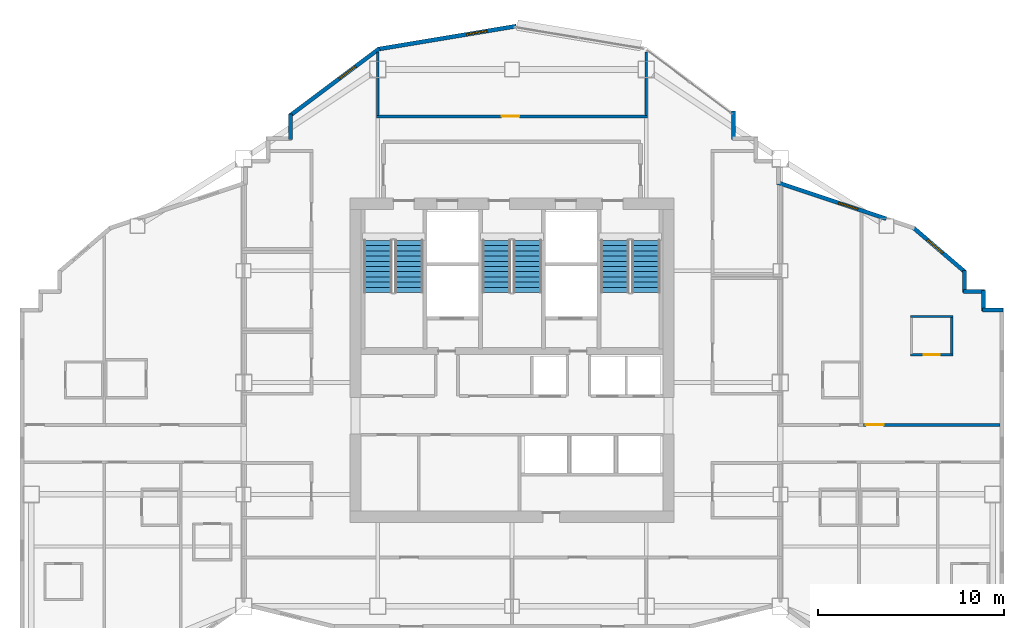
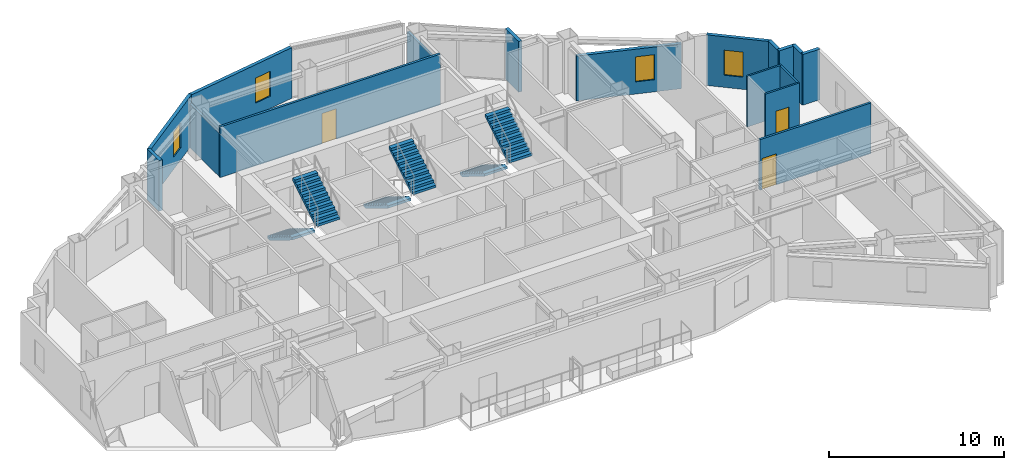
# One storey, part 9 of 12: 17 walls, 6 stair flights, 4 windows, 3 doors, 7 openings, 3 elements without a shape of their own.
"""IFC4 building model written with IfcOpenShell, lengths in metres."""

from ifc_helpers import new_model, si_unit, direction, frame, frame_2d, origin, place, context, subcontext, project, spatial, polyline, rectangle, outline, extrude, material, layer, layer_set, type_object, element, fill, aggregate, save


model = new_model("IFC4")

# Units and contexts
model_context = context("Model", 3, precision=1e-05, world=origin(), true_north=direction((0.0, 1.0)))
body_context = subcontext(model_context, "Body", "Model", "MODEL_VIEW")
ifc_project = project(units=[si_unit("LENGTHUNIT", "METRE"), si_unit("AREAUNIT", "SQUARE_METRE"), si_unit("VOLUMEUNIT", "CUBIC_METRE"), si_unit("PLANEANGLEUNIT", "RADIAN"), si_unit("MASSUNIT", "GRAM", prefix="KILO")], contexts=[model_context])

# Site, building, storey
site_placement = place(None, origin())
site = spatial("IfcSite", under=ifc_project, at=site_placement, CompositionType="ELEMENT")
building_placement = place(site_placement, origin())
building = spatial("IfcBuilding", under=site, at=building_placement, Name="Haolan Belvedere Tower", CompositionType="ELEMENT")
storey_placement = place(building_placement, frame((0.0, 0.0, 203.199951171875)))
storey = spatial("IfcBuildingStorey", under=building, at=storey_placement, Name="L51", CompositionType="ELEMENT", Elevation=203.199951171875)

# Walls
ifc_material_1 = material(Name="Precast concrete C40/50", Category="concrete")
ifc_layer_1 = layer(ifc_material_1, 0.219970703125, Name="Precast concrete C40/50")
ifc_layer_set_1 = layer_set([ifc_layer_1], Name="Precast concrete C40/50")
wall_type_1 = type_object("IfcWallType", Name="WL-EXT-220", PredefinedType="SOLIDWALL", material=ifc_layer_set_1)
wall_1_placement = place(storey_placement, frame((64.7451171875, 37.489990234375, 0.0), z_axis=(0.0, 0.0, 1.0), x_axis=(-1.0, 0.0, 0.0)))
element("IfcWall", 1, at=wall_1_placement, inside=storey, type_object=wall_type_1, Name="L51 pale-metal exterior spandrel wall 9.1", PredefinedType="SOLIDWALL", context=body_context, shape_type="SweptSolid", body=[
    extrude(rectangle(XDim=1.110107421875, YDim=0.219970703125, at=frame_2d((0.55517578125, 0.0))), origin(), (0.0, 0.0, 1.0), 3.5400390625),
])
wall_2_placement = place(storey_placement, frame((63.68994140625, 37.43505859375, 0.0), z_axis=(0.0, 0.0, 1.0), x_axis=(0.0, 1.0, 0.0)))
element("IfcWall", 2, at=wall_2_placement, inside=storey, type_object=wall_type_1, Name="L51 pale-metal exterior spandrel wall 10.1", PredefinedType="SOLIDWALL", context=body_context, shape_type="SweptSolid", body=[
    extrude(rectangle(XDim=1.10986328125, YDim=0.219970703125, at=frame_2d((0.554931640625, 0.0))), origin(), (0.0, 0.0, 1.0), 3.5400390625),
])
wall_3_placement = place(storey_placement, frame((63.7451171875, 38.489990234375, 0.0), z_axis=(0.0, 0.0, 1.0), x_axis=(-1.0, 0.0, 0.0)))
element("IfcWall", 3, at=wall_3_placement, inside=storey, type_object=wall_type_1, Name="L51 pale-metal exterior spandrel wall 11.1", PredefinedType="SOLIDWALL", context=body_context, shape_type="SweptSolid", body=[
    extrude(rectangle(XDim=1.110107421875, YDim=0.219970703125, at=frame_2d((0.55517578125, 0.0))), origin(), (0.0, 0.0, 1.0), 3.5400390625),
])
wall_4_placement = place(storey_placement, frame((62.68994140625, 38.43505859375, 0.0), z_axis=(0.0, 0.0, 1.0), x_axis=(0.0, 1.0, 0.0)))
element("IfcWall", 4, at=wall_4_placement, inside=storey, type_object=wall_type_1, Name="L51 pale-metal exterior spandrel wall 12.1", PredefinedType="SOLIDWALL", context=body_context, shape_type="SweptSolid", body=[
    extrude(rectangle(XDim=1.16943359375, YDim=0.219970703125, at=frame_2d((0.584716796875, 0.0))), origin(), (0.0, 0.0, 1.0), 3.5400390625),
])

# Wall, opening, window
wall_5_placement = place(storey_placement, frame((62.731689453125, 39.513671875, 0.0), z_axis=(0.0, 0.0, 1.0), x_axis=(-0.759251976569, 0.65079677018, 0.0)))
wall_5 = element("IfcWall", 5, at=wall_5_placement, inside=storey, type_object=wall_type_1, Name="L51 pale-metal exterior spandrel wall 13.1", PredefinedType="SOLIDWALL", context=body_context, shape_type="SweptSolid", body=[
    extrude(rectangle(XDim=3.7255859375, YDim=0.219970703125, at=frame_2d((1.86279296875, 0.0))), origin(), (0.0, 0.0, 1.0), 3.5400390625),
])
opening_1_placement = place(wall_5_placement, frame((1.60009765625, 0.0, 0.85009765625)))
opening_1 = element("IfcOpeningElement", 6, at=opening_1_placement, cuts=wall_5, Name="Opening W-03", PredefinedType="OPENING", context=body_context, shape_type="SweptSolid", body=[
    extrude(rectangle(XDim=1.10009765625, YDim=1.75, at=frame_2d((0.550048828125, 0.875))), frame((0.0, 0.119873046875, 0.0), z_axis=(0.0, -1.0, 0.0), x_axis=(1.0, 0.0, 0.0)), (0.0, 0.0, 1.0), 0.239990234375),
])
ifc_material_2 = material(Name="Anodised aluminium 6063-T6 and Low-E glass", Category="aluminium")
window_type = type_object("IfcWindowType", Name="WN-DECO-Z3", PartitioningType="SINGLE_PANEL", PredefinedType="WINDOW", material=ifc_material_2)
window_1_placement = place(opening_1_placement, origin())
window_1 = element("IfcWindow", 7, at=window_1_placement, inside=storey, type_object=window_type, Name="L51 Art Deco chevron window 1", OverallHeight=1.75, OverallWidth=1.10009765625, PartitioningType="SINGLE_PANEL", PredefinedType="WINDOW", context=body_context, shape_type="SweptSolid", body=[
    extrude(rectangle(XDim=1.10009765625, YDim=1.75, at=frame_2d((0.550048828125, 0.875))), frame((0.0, 0.030029296875, 0.0), z_axis=(0.0, -1.0, 0.0), x_axis=(1.0, 0.0, 0.0)), (0.0, 0.0, 1.0), 0.06005859375),
])
fill(opening_1, window_1)

wall_6_placement = place(storey_placement, frame((58.476318359375, 42.39208984375, 0.0), z_axis=(0.0, 0.0, 1.0), x_axis=(-0.948691231611, 0.316203964339, 0.0)))
wall_6 = element("IfcWall", 8, at=wall_6_placement, inside=storey, type_object=wall_type_1, Name="L51 pale-metal exterior spandrel wall 14.2", PredefinedType="SOLIDWALL", context=body_context, shape_type="SweptSolid", body=[
    extrude(rectangle(XDim=6.154296875, YDim=0.219970703125, at=frame_2d((3.0771484375, 0.0))), origin(), (0.0, 0.0, 1.0), 3.135009765625),
])
opening_2_placement = place(wall_6_placement, frame((1.60009765625, 0.0, 0.85009765625)))
opening_2 = element("IfcOpeningElement", 9, at=opening_2_placement, cuts=wall_6, Name="Opening W-03", PredefinedType="OPENING", context=body_context, shape_type="SweptSolid", body=[
    extrude(rectangle(XDim=1.10009765625, YDim=1.75, at=frame_2d((0.550048828125, 0.875))), frame((0.0, 0.119873046875, 0.0), z_axis=(0.0, -1.0, 0.0), x_axis=(1.0, 0.0, 0.0)), (0.0, 0.0, 1.0), 0.239990234375),
])
window_2_placement = place(opening_2_placement, origin())
window_2 = element("IfcWindow", 10, at=window_2_placement, inside=storey, type_object=window_type, Name="L51 Art Deco chevron window 1", OverallHeight=1.75, OverallWidth=1.10009765625, PartitioningType="SINGLE_PANEL", PredefinedType="WINDOW", context=body_context, shape_type="SweptSolid", body=[
    extrude(rectangle(XDim=1.10009765625, YDim=1.75, at=frame_2d((0.550048828125, 0.875))), frame((0.0, 0.030029296875, 0.0), z_axis=(0.0, -1.0, 0.0), x_axis=(1.0, 0.0, 0.0)), (0.0, 0.0, 1.0), 0.06005859375),
])
fill(opening_2, window_2)

# Wall
wall_7_placement = place(storey_placement, frame((50.2900390625, 46.635009765625, 0.0), z_axis=(0.0, 0.0, 1.0), x_axis=(0.0, 1.0, 0.0)))
element("IfcWall", 11, at=wall_7_placement, inside=storey, type_object=wall_type_1, Name="L51 pale-metal exterior spandrel wall 19.1", PredefinedType="SOLIDWALL", context=body_context, shape_type="SweptSolid", body=[
    extrude(rectangle(XDim=1.534912109375, YDim=0.219970703125, at=frame_2d((0.767578125, 0.0))), origin(), (0.0, 0.0, 1.0), 3.5400390625),
])

# Wall, opening, window
wall_8_placement = place(storey_placement, frame((38.621826171875, 52.7255859375, 0.0), z_axis=(0.0, 0.0, 1.0), x_axis=(-0.986390420428, -0.164420006349, 0.0)))
wall_8 = element("IfcWall", 12, at=wall_8_placement, inside=storey, type_object=wall_type_1, Name="L51 pale-metal exterior spandrel wall 22.1", PredefinedType="SOLIDWALL", context=body_context, shape_type="SweptSolid", body=[
    extrude(rectangle(XDim=7.5341796875, YDim=0.219970703125, at=frame_2d((3.76708984375, 0.0))), origin(), (0.0, 0.0, 1.0), 3.5400390625),
])
opening_3_placement = place(wall_8_placement, frame((1.60009765625, 0.0, 0.85009765625)))
opening_3 = element("IfcOpeningElement", 13, at=opening_3_placement, cuts=wall_8, Name="Opening W-03", PredefinedType="OPENING", context=body_context, shape_type="SweptSolid", body=[
    extrude(rectangle(XDim=1.10009765625, YDim=1.75, at=frame_2d((0.550048828125, 0.875))), frame((0.0, 0.119873046875, 0.0), z_axis=(0.0, -1.0, 0.0), x_axis=(1.0, 0.0, 0.0)), (0.0, 0.0, 1.0), 0.239990234375),
])
window_3_placement = place(opening_3_placement, origin())
window_3 = element("IfcWindow", 14, at=window_3_placement, inside=storey, type_object=window_type, Name="L51 Art Deco chevron window 1", OverallHeight=1.75, OverallWidth=1.10009765625, PartitioningType="SINGLE_PANEL", PredefinedType="WINDOW", context=body_context, shape_type="SweptSolid", body=[
    extrude(rectangle(XDim=1.10009765625, YDim=1.75, at=frame_2d((0.550048828125, 0.875))), frame((0.0, 0.030029296875, 0.0), z_axis=(0.0, -1.0, 0.0), x_axis=(1.0, 0.0, 0.0)), (0.0, 0.0, 1.0), 0.06005859375),
])
fill(opening_3, window_3)

wall_9_placement = place(storey_placement, frame((31.28857421875, 51.52880859375, 0.0), z_axis=(0.0, 0.0, 1.0), x_axis=(-0.800014580093, -0.599980559383, 0.0)))
wall_9 = element("IfcWall", 15, at=wall_9_placement, inside=storey, type_object=wall_type_1, Name="L51 pale-metal exterior spandrel wall 23.1", PredefinedType="SOLIDWALL", context=body_context, shape_type="SweptSolid", body=[
    extrude(rectangle(XDim=6.028076171875, YDim=0.219970703125, at=frame_2d((3.01416015625, 0.0))), origin(), (0.0, 0.0, 1.0), 3.5400390625),
])
opening_4_placement = place(wall_9_placement, frame((1.60009765625, 0.0, 0.85009765625)))
opening_4 = element("IfcOpeningElement", 16, at=opening_4_placement, cuts=wall_9, Name="Opening W-03", PredefinedType="OPENING", context=body_context, shape_type="SweptSolid", body=[
    extrude(rectangle(XDim=1.10009765625, YDim=1.75, at=frame_2d((0.550048828125, 0.875))), frame((0.0, 0.119873046875, 0.0), z_axis=(0.0, -1.0, 0.0), x_axis=(1.0, 0.0, 0.0)), (0.0, 0.0, 1.0), 0.239990234375),
])
window_4_placement = place(opening_4_placement, origin())
window_4 = element("IfcWindow", 17, at=window_4_placement, inside=storey, type_object=window_type, Name="L51 Art Deco chevron window 1", OverallHeight=1.75, OverallWidth=1.10009765625, PartitioningType="SINGLE_PANEL", PredefinedType="WINDOW", context=body_context, shape_type="SweptSolid", body=[
    extrude(rectangle(XDim=1.10009765625, YDim=1.75, at=frame_2d((0.550048828125, 0.875))), frame((0.0, 0.030029296875, 0.0), z_axis=(0.0, -1.0, 0.0), x_axis=(1.0, 0.0, 0.0)), (0.0, 0.0, 1.0), 0.06005859375),
])
fill(opening_4, window_4)

# Wall
wall_10_placement = place(storey_placement, frame((26.510009765625, 48.0, 0.0), z_axis=(0.0, 0.0, 1.0), x_axis=(0.0, -1.0, 0.0)))
element("IfcWall", 18, at=wall_10_placement, inside=storey, type_object=wall_type_1, Name="L51 pale-metal exterior spandrel wall 24.1", PredefinedType="SOLIDWALL", context=body_context, shape_type="SweptSolid", body=[
    extrude(rectangle(XDim=1.364990234375, YDim=0.219970703125, at=frame_2d((0.6826171875, 0.0))), origin(), (0.0, 0.0, 1.0), 3.5400390625),
])

# Wall, opening, door
ifc_material_3 = material(Name="Double gypsum acoustic stud partition", Category="masonry")
ifc_layer_2 = layer(ifc_material_3, 0.14990234375, Name="Double gypsum acoustic stud partition")
ifc_layer_set_2 = layer_set([ifc_layer_2], Name="Double gypsum acoustic stud partition")
wall_type_2 = type_object("IfcWallType", Name="WL-PART-150", PredefinedType="PARTITIONING", material=ifc_layer_set_2)
wall_11_placement = place(storey_placement, frame((31.1201171875, 47.8798828125, 0.0), z_axis=(0.0, 0.0, 1.0), x_axis=(1.0, 0.0, 0.0)))
wall_11 = element("IfcWall", 19, at=wall_11_placement, inside=storey, type_object=wall_type_2, Name="L51 interior partition IW-L51-KN2-S", PredefinedType="PARTITIONING", context=body_context, shape_type="SweptSolid", body=[
    extrude(rectangle(XDim=14.559814453125, YDim=0.14990234375, at=frame_2d((7.27978515625, 0.0))), origin(), (0.0, 0.0, 1.0), 3.5400390625),
])
opening_5_placement = place(wall_11_placement, frame((6.72509765625, 0.0, 0.0)))
opening_5 = element("IfcOpeningElement", 20, at=opening_5_placement, cuts=wall_11, Name="Opening ID-03", PredefinedType="OPENING", context=body_context, shape_type="SweptSolid", body=[
    extrude(rectangle(XDim=0.949951171875, YDim=2.1201171875, at=frame_2d((0.47509765625, 1.06005859375))), frame((0.0, 0.0849609375, 0.0), z_axis=(0.0, -1.0, 0.0), x_axis=(1.0, 0.0, 0.0)), (0.0, 0.0, 1.0), 0.169921875),
])
ifc_material_4 = material(Name="Painted solid-core timber", Category="wood")
door_type_1 = type_object("IfcDoorType", Name="DR-INT-950", OperationType="NOTDEFINED", PredefinedType="DOOR", material=ifc_material_4)
door_1_placement = place(opening_5_placement, origin())
door_1 = element("IfcDoor", 21, at=door_1_placement, inside=storey, type_object=door_type_1, Name="L51 door ID-L51-KN2", OperationType="SINGLE_SWING_LEFT", OverallHeight=2.1201171875, OverallWidth=0.949951171875, PredefinedType="DOOR", context=body_context, shape_type="SweptSolid", body=[
    extrude(rectangle(XDim=0.949951171875, YDim=2.1201171875, at=frame_2d((0.47509765625, 1.06005859375))), frame((0.0, 0.02490234375, 0.0), z_axis=(0.0, -1.0, 0.0), x_axis=(1.0, 0.0, 0.0)), (0.0, 0.0, 1.0), 0.050048828125),
])
fill(opening_5, door_1)

# Walls
for number, where, z_axis, x_axis, name in (
    (22, (31.199951171875, 47.93994140625, 0.0), (0.0, 0.0, 1.0), (0.0, 1.0, 0.0), "L51 interior partition IW-L51-KN2-W"),
    (23, (45.60009765625, 47.93994140625, 0.0), (0.0, 0.0, 1.0), (0.0, 1.0, 0.0), "L51 interior partition IW-L51-KN2-E"),
):
    element("IfcWall", number, at=place(storey_placement, frame(where, z_axis=z_axis, x_axis=x_axis)), inside=storey, type_object=wall_type_2, Name=name, PredefinedType="PARTITIONING", context=body_context, shape_type="SweptSolid", body=[
        extrude(rectangle(XDim=3.39501953125, YDim=0.14990234375, at=frame_2d((1.697509765625, 0.0))), origin(), (0.0, 0.0, 1.0), 3.025146484375),
    ])

# Wall, opening, door
wall_12_placement = place(storey_placement, frame((57.251953125, 31.330078125, 0.0), z_axis=(0.0, 0.0, 1.0), x_axis=(1.0, 0.0, 0.0)))
wall_12 = element("IfcWall", 24, at=wall_12_placement, inside=storey, type_object=wall_type_2, Name="L51 interior partition IW-L51-T4N2-S", PredefinedType="PARTITIONING", context=body_context, shape_type="SweptSolid", body=[
    extrude(rectangle(XDim=7.3359375, YDim=0.14990234375, at=frame_2d((3.66796875, 0.0))), origin(), (0.0, 0.0, 1.0), 3.5400390625),
])
opening_6_placement = place(wall_12_placement, frame((0.139892578125, 0.0, 0.0)))
opening_6 = element("IfcOpeningElement", 25, at=opening_6_placement, cuts=wall_12, Name="Opening ID-01", PredefinedType="OPENING", context=body_context, shape_type="SweptSolid", body=[
    extrude(rectangle(XDim=0.949951171875, YDim=2.179931640625, at=frame_2d((0.47509765625, 1.08984375))), frame((0.0, 0.0849609375, 0.0), z_axis=(0.0, -1.0, 0.0), x_axis=(1.0, 0.0, 0.0)), (0.0, 0.0, 1.0), 0.169921875),
])
ifc_material_5 = material(Name="Acoustic walnut veneer fire-rated timber", Category="wood")
door_type_2 = type_object("IfcDoorType", Name="DR-SUITE-950", OperationType="NOTDEFINED", PredefinedType="DOOR", material=ifc_material_5)
door_2_placement = place(opening_6_placement, origin())
door_2 = element("IfcDoor", 26, at=door_2_placement, inside=storey, type_object=door_type_2, Name="L51 door ID-L51-T4N2-ENT", OperationType="SINGLE_SWING_LEFT", OverallHeight=2.179931640625, OverallWidth=0.949951171875, PredefinedType="DOOR", context=body_context, shape_type="SweptSolid", body=[
    extrude(rectangle(XDim=0.949951171875, YDim=2.179931640625, at=frame_2d((0.47509765625, 1.08984375))), frame((0.0, 0.02490234375, 0.0), z_axis=(0.0, -1.0, 0.0), x_axis=(1.0, 0.0, 0.0)), (0.0, 0.0, 1.0), 0.050048828125),
])
fill(opening_6, door_2)

# Wall
ifc_material_6 = material(Name="Moisture-resistant gypsum tile partition", Category="masonry")
ifc_layer_3 = layer(ifc_material_6, 0.1201171875, Name="Moisture-resistant gypsum tile partition")
ifc_layer_set_3 = layer_set([ifc_layer_3], Name="Moisture-resistant gypsum tile partition")
wall_type_3 = type_object("IfcWallType", Name="WL-WET-120", PredefinedType="PARTITIONING", material=ifc_layer_set_3)
wall_13_placement = place(storey_placement, frame((59.782958984375, 37.14501953125, 0.0), z_axis=(0.0, 0.0, 1.0), x_axis=(1.0, 0.0, 0.0)))
element("IfcWall", 27, at=wall_13_placement, inside=storey, type_object=wall_type_3, Name="L51 interior partition IW-L51-T4N2-BN", PredefinedType="PARTITIONING", context=body_context, shape_type="SweptSolid", body=[
    extrude(rectangle(XDim=2.27001953125, YDim=0.1201171875, at=frame_2d((1.135009765625, 0.0))), origin(), (0.0, 0.0, 1.0), 3.5400390625),
])

# Wall, opening, door
wall_14_placement = place(storey_placement, frame((59.782958984375, 35.094970703125, 0.0), z_axis=(0.0, 0.0, 1.0), x_axis=(1.0, 0.0, 0.0)))
wall_14 = element("IfcWall", 28, at=wall_14_placement, inside=storey, type_object=wall_type_3, Name="L51 interior partition IW-L51-T4N2-BS", PredefinedType="PARTITIONING", context=body_context, shape_type="SweptSolid", body=[
    extrude(rectangle(XDim=2.27001953125, YDim=0.1201171875, at=frame_2d((1.135009765625, 0.0))), origin(), (0.0, 0.0, 1.0), 3.5400390625),
])
opening_7_placement = place(wall_14_placement, frame((0.7099609375, 0.0, 0.0)))
opening_7 = element("IfcOpeningElement", 29, at=opening_7_placement, cuts=wall_14, Name="Opening ID-05", PredefinedType="OPENING", context=body_context, shape_type="SweptSolid", body=[
    extrude(rectangle(XDim=0.85009765625, YDim=2.10009765625, at=frame_2d((0.425048828125, 1.050048828125))), frame((0.0, 0.070068359375, 0.0), z_axis=(0.0, -1.0, 0.0), x_axis=(1.0, 0.0, 0.0)), (0.0, 0.0, 1.0), 0.14013671875),
])
ifc_material_7 = material(Name="Moisture-resistant lacquered timber", Category="wood")
door_type_3 = type_object("IfcDoorType", Name="DR-BATH-850", OperationType="NOTDEFINED", PredefinedType="DOOR", material=ifc_material_7)
door_3_placement = place(opening_7_placement, origin())
door_3 = element("IfcDoor", 30, at=door_3_placement, inside=storey, type_object=door_type_3, Name="L51 door ID-L51-T4N2-BATH", OperationType="SINGLE_SWING_RIGHT", OverallHeight=2.10009765625, OverallWidth=0.85009765625, PredefinedType="DOOR", context=body_context, shape_type="SweptSolid", body=[
    extrude(rectangle(XDim=0.85009765625, YDim=2.10009765625, at=frame_2d((0.425048828125, 1.050048828125))), frame((0.0, 0.02490234375, 0.0), z_axis=(0.0, -1.0, 0.0), x_axis=(1.0, 0.0, 0.0)), (0.0, 0.0, 1.0), 0.050048828125),
])
fill(opening_7, door_3)

# Wall
wall_15_placement = place(storey_placement, frame((61.992919921875, 35.139892578125, 0.0), z_axis=(0.0, 0.0, 1.0), x_axis=(0.0, 1.0, 0.0)))
element("IfcWall", 31, at=wall_15_placement, inside=storey, type_object=wall_type_3, Name="L51 interior partition IW-L51-T4N2-BE", PredefinedType="PARTITIONING", context=body_context, shape_type="SweptSolid", body=[
    extrude(rectangle(XDim=1.960205078125, YDim=0.1201171875, at=frame_2d((0.97998046875, 0.0))), origin(), (0.0, 0.0, 1.0), 3.5400390625),
])

# Stair, stair flights
ifc_material_8 = material(Name="Concrete C40/50", Category="concrete")
stair_type = type_object("IfcStairType", Name="STR-DL-22R-173", PredefinedType="HALF_TURN_STAIR", material=ifc_material_8)
stair_1_placement = place(storey_placement, origin())
stair_1 = element("IfcStair", 32, at=stair_1_placement, inside=storey, type_object=stair_type, Name="L51 Smokeproof Core Exit Stair ST1", PredefinedType="HALF_TURN_STAIR")
stair_flight_type = type_object("IfcStairFlightType", Name="SFL-DL-11R-173", PredefinedType="STRAIGHT", material=ifc_material_8)
stair_flight_1_placement = place(storey_placement, frame((31.2099609375, 41.22998046875, 0.0), z_axis=(0.0, 0.0, 1.0), x_axis=(0.0, -1.0, 0.0)))
stair_flight_1 = element("IfcStairFlight", 33, at=stair_flight_1_placement, type_object=stair_flight_type, Name="ST1 flight 1", NumberOfRisers=11, NumberOfTreads=10, PredefinedType="STRAIGHT", RiserHeight=0.172727273, TreadLength=0.28, context=body_context, shape_type="SweptSolid", body=[
    extrude(outline(polyline([(0.0, 0.0), (0.0, 0.172607421875), (0.280029296875, 0.172607421875), (0.280029296875, 0.345458984375), (0.56005859375, 0.345458984375), (0.56005859375, 0.51806640625), (0.840087890625, 0.51806640625), (0.840087890625, 0.69091796875), (1.1201171875, 0.69091796875), (1.1201171875, 0.863525390625), (1.39990234375, 0.863525390625), (1.39990234375, 1.036376953125), (1.679931640625, 1.036376953125), (1.679931640625, 1.208984375), (1.9599609375, 1.208984375), (1.9599609375, 1.3818359375), (2.239990234375, 1.3818359375), (2.239990234375, 1.554443359375), (2.52001953125, 1.554443359375), (2.52001953125, 1.727294921875), (2.800048828125, 1.727294921875), (2.800048828125, 1.89990234375), (2.800048828125, 1.551025390625), (0.285400390625, 0.0), (0.0, 0.0)])), frame((0.0, 0.760009765625, 0.0), z_axis=(0.0, -1.0, 0.0), x_axis=(1.0, 0.0, 0.0)), (0.0, 0.0, 1.0), 1.52001953125),
])
stair_flight_2_placement = place(storey_placement, frame((32.8701171875, 38.429931640625, 1.900146484375), z_axis=(0.0, 0.0, 1.0), x_axis=(0.0, 1.0, 0.0)))
stair_flight_2 = element("IfcStairFlight", 34, at=stair_flight_2_placement, type_object=stair_flight_type, Name="ST1 flight 2", NumberOfRisers=11, NumberOfTreads=10, PredefinedType="STRAIGHT", RiserHeight=0.172727273, TreadLength=0.28, context=body_context, shape_type="SweptSolid", body=[
    extrude(outline(polyline([(0.0, 0.0), (0.0, 0.172607421875), (0.280029296875, 0.172607421875), (0.280029296875, 0.345458984375), (0.56005859375, 0.345458984375), (0.56005859375, 0.51806640625), (0.840087890625, 0.51806640625), (0.840087890625, 0.69091796875), (1.1201171875, 0.69091796875), (1.1201171875, 0.863525390625), (1.39990234375, 0.863525390625), (1.39990234375, 1.036376953125), (1.679931640625, 1.036376953125), (1.679931640625, 1.208984375), (1.9599609375, 1.208984375), (1.9599609375, 1.3818359375), (2.239990234375, 1.3818359375), (2.239990234375, 1.554443359375), (2.52001953125, 1.554443359375), (2.52001953125, 1.727294921875), (2.800048828125, 1.727294921875), (2.800048828125, 1.89990234375), (2.800048828125, 1.551025390625), (0.285400390625, 0.0), (0.0, 0.0)])), frame((0.0, 0.760009765625, 0.0), z_axis=(0.0, -1.0, 0.0), x_axis=(1.0, 0.0, 0.0)), (0.0, 0.0, 1.0), 1.52001953125),
])
aggregate(stair_1, [stair_flight_1, stair_flight_2])

stair_2_placement = place(storey_placement, origin())
stair_2 = element("IfcStair", 35, at=stair_2_placement, inside=storey, type_object=stair_type, Name="L51 Smokeproof Core Exit Stair ST3", PredefinedType="HALF_TURN_STAIR")
stair_flight_3_placement = place(storey_placement, frame((37.570068359375, 41.22998046875, 0.0), z_axis=(0.0, 0.0, 1.0), x_axis=(0.0, -1.0, 0.0)))
stair_flight_3 = element("IfcStairFlight", 36, at=stair_flight_3_placement, type_object=stair_flight_type, Name="ST3 flight 1", NumberOfRisers=11, NumberOfTreads=10, PredefinedType="STRAIGHT", RiserHeight=0.172727273, TreadLength=0.28, context=body_context, shape_type="SweptSolid", body=[
    extrude(outline(polyline([(0.0, 0.0), (0.0, 0.172607421875), (0.280029296875, 0.172607421875), (0.280029296875, 0.345458984375), (0.56005859375, 0.345458984375), (0.56005859375, 0.51806640625), (0.840087890625, 0.51806640625), (0.840087890625, 0.69091796875), (1.1201171875, 0.69091796875), (1.1201171875, 0.863525390625), (1.39990234375, 0.863525390625), (1.39990234375, 1.036376953125), (1.679931640625, 1.036376953125), (1.679931640625, 1.208984375), (1.9599609375, 1.208984375), (1.9599609375, 1.3818359375), (2.239990234375, 1.3818359375), (2.239990234375, 1.554443359375), (2.52001953125, 1.554443359375), (2.52001953125, 1.727294921875), (2.800048828125, 1.727294921875), (2.800048828125, 1.89990234375), (2.800048828125, 1.551025390625), (0.285400390625, 0.0), (0.0, 0.0)])), frame((0.0, 0.760009765625, 0.0), z_axis=(0.0, -1.0, 0.0), x_axis=(1.0, 0.0, 0.0)), (0.0, 0.0, 1.0), 1.52001953125),
])
stair_flight_4_placement = place(storey_placement, frame((39.22998046875, 38.429931640625, 1.900146484375), z_axis=(0.0, 0.0, 1.0), x_axis=(0.0, 1.0, 0.0)))
stair_flight_4 = element("IfcStairFlight", 37, at=stair_flight_4_placement, type_object=stair_flight_type, Name="ST3 flight 2", NumberOfRisers=11, NumberOfTreads=10, PredefinedType="STRAIGHT", RiserHeight=0.172727273, TreadLength=0.28, context=body_context, shape_type="SweptSolid", body=[
    extrude(outline(polyline([(0.0, 0.0), (0.0, 0.172607421875), (0.280029296875, 0.172607421875), (0.280029296875, 0.345458984375), (0.56005859375, 0.345458984375), (0.56005859375, 0.51806640625), (0.840087890625, 0.51806640625), (0.840087890625, 0.69091796875), (1.1201171875, 0.69091796875), (1.1201171875, 0.863525390625), (1.39990234375, 0.863525390625), (1.39990234375, 1.036376953125), (1.679931640625, 1.036376953125), (1.679931640625, 1.208984375), (1.9599609375, 1.208984375), (1.9599609375, 1.3818359375), (2.239990234375, 1.3818359375), (2.239990234375, 1.554443359375), (2.52001953125, 1.554443359375), (2.52001953125, 1.727294921875), (2.800048828125, 1.727294921875), (2.800048828125, 1.89990234375), (2.800048828125, 1.551025390625), (0.285400390625, 0.0), (0.0, 0.0)])), frame((0.0, 0.760009765625, 0.0), z_axis=(0.0, -1.0, 0.0), x_axis=(1.0, 0.0, 0.0)), (0.0, 0.0, 1.0), 1.52001953125),
])
aggregate(stair_2, [stair_flight_3, stair_flight_4])

stair_3_placement = place(storey_placement, origin())
stair_3 = element("IfcStair", 38, at=stair_3_placement, inside=storey, type_object=stair_type, Name="L51 Smokeproof Core Exit Stair ST2", PredefinedType="HALF_TURN_STAIR")
stair_flight_5_placement = place(storey_placement, frame((43.929931640625, 41.22998046875, 0.0), z_axis=(0.0, 0.0, 1.0), x_axis=(0.0, -1.0, 0.0)))
stair_flight_5 = element("IfcStairFlight", 39, at=stair_flight_5_placement, type_object=stair_flight_type, Name="ST2 flight 1", NumberOfRisers=11, NumberOfTreads=10, PredefinedType="STRAIGHT", RiserHeight=0.172727273, TreadLength=0.28, context=body_context, shape_type="SweptSolid", body=[
    extrude(outline(polyline([(0.0, 0.0), (0.0, 0.172607421875), (0.280029296875, 0.172607421875), (0.280029296875, 0.345458984375), (0.56005859375, 0.345458984375), (0.56005859375, 0.51806640625), (0.840087890625, 0.51806640625), (0.840087890625, 0.69091796875), (1.1201171875, 0.69091796875), (1.1201171875, 0.863525390625), (1.39990234375, 0.863525390625), (1.39990234375, 1.036376953125), (1.679931640625, 1.036376953125), (1.679931640625, 1.208984375), (1.9599609375, 1.208984375), (1.9599609375, 1.3818359375), (2.239990234375, 1.3818359375), (2.239990234375, 1.554443359375), (2.52001953125, 1.554443359375), (2.52001953125, 1.727294921875), (2.800048828125, 1.727294921875), (2.800048828125, 1.89990234375), (2.800048828125, 1.551025390625), (0.285400390625, 0.0), (0.0, 0.0)])), frame((0.0, 0.760009765625, 0.0), z_axis=(0.0, -1.0, 0.0), x_axis=(1.0, 0.0, 0.0)), (0.0, 0.0, 1.0), 1.52001953125),
])
stair_flight_6_placement = place(storey_placement, frame((45.590087890625, 38.429931640625, 1.900146484375), z_axis=(0.0, 0.0, 1.0), x_axis=(0.0, 1.0, 0.0)))
stair_flight_6 = element("IfcStairFlight", 40, at=stair_flight_6_placement, type_object=stair_flight_type, Name="ST2 flight 2", NumberOfRisers=11, NumberOfTreads=10, PredefinedType="STRAIGHT", RiserHeight=0.172727273, TreadLength=0.28, context=body_context, shape_type="SweptSolid", body=[
    extrude(outline(polyline([(0.0, 0.0), (0.0, 0.172607421875), (0.280029296875, 0.172607421875), (0.280029296875, 0.345458984375), (0.56005859375, 0.345458984375), (0.56005859375, 0.51806640625), (0.840087890625, 0.51806640625), (0.840087890625, 0.69091796875), (1.1201171875, 0.69091796875), (1.1201171875, 0.863525390625), (1.39990234375, 0.863525390625), (1.39990234375, 1.036376953125), (1.679931640625, 1.036376953125), (1.679931640625, 1.208984375), (1.9599609375, 1.208984375), (1.9599609375, 1.3818359375), (2.239990234375, 1.3818359375), (2.239990234375, 1.554443359375), (2.52001953125, 1.554443359375), (2.52001953125, 1.727294921875), (2.800048828125, 1.727294921875), (2.800048828125, 1.89990234375), (2.800048828125, 1.551025390625), (0.285400390625, 0.0), (0.0, 0.0)])), frame((0.0, 0.760009765625, 0.0), z_axis=(0.0, -1.0, 0.0), x_axis=(1.0, 0.0, 0.0)), (0.0, 0.0, 1.0), 1.52001953125),
])
aggregate(stair_3, [stair_flight_5, stair_flight_6])

save(model, "model.ifc")
